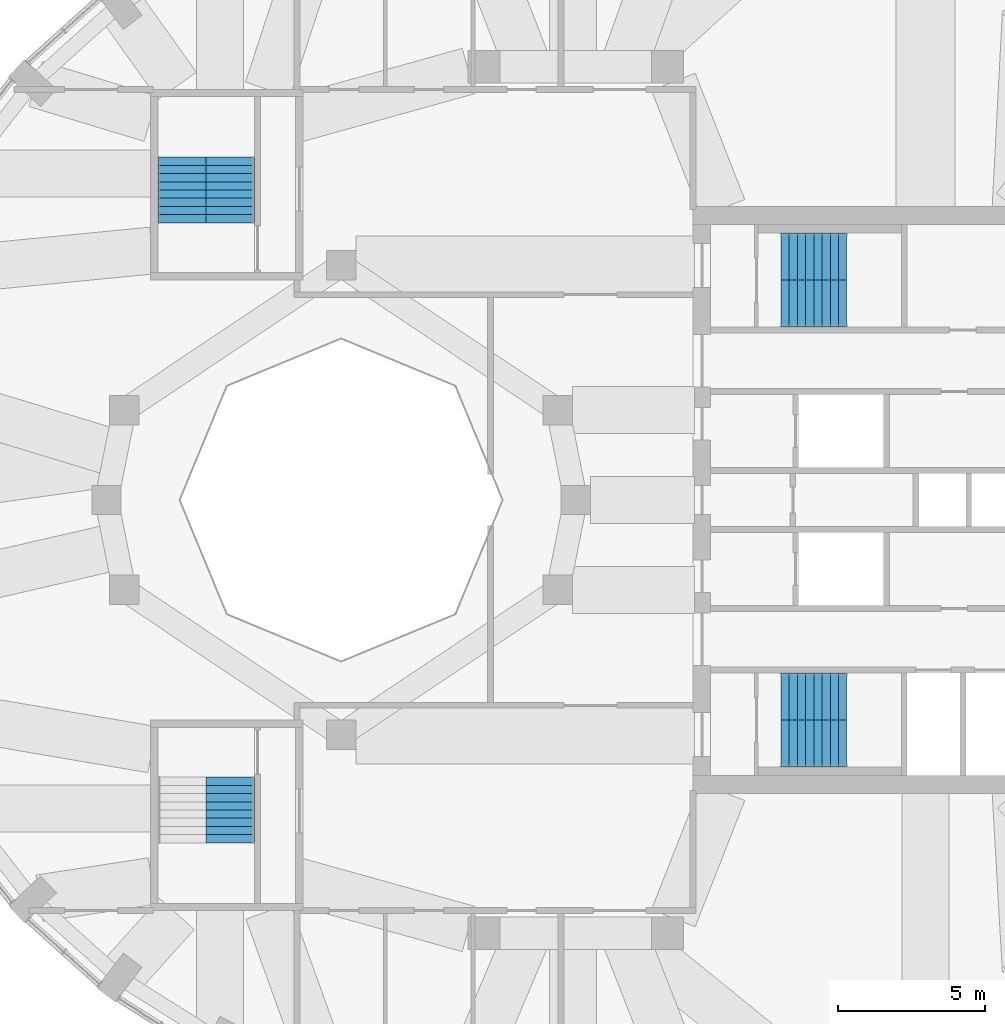
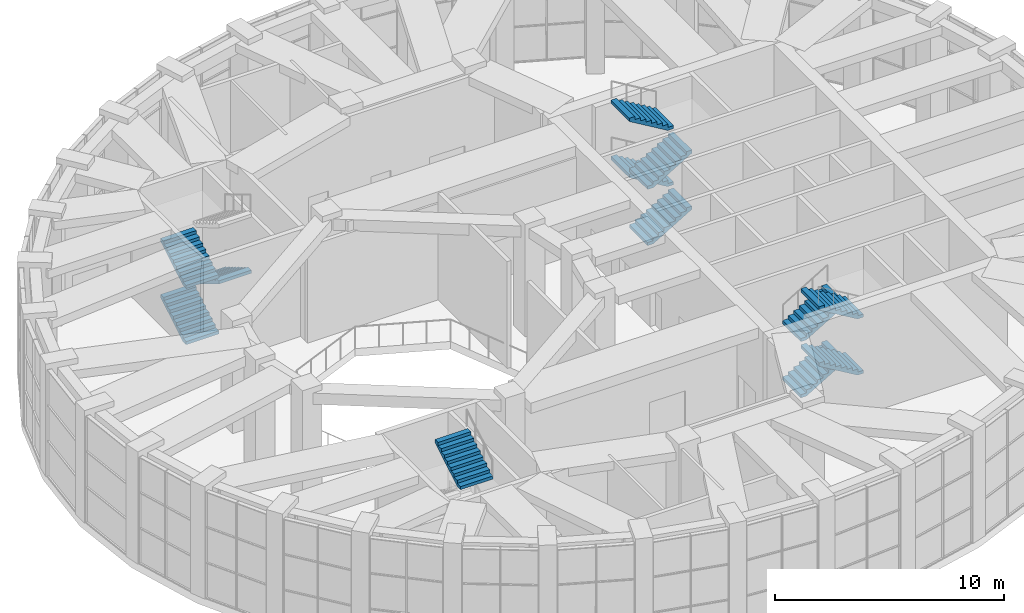
# One storey, part 18 of 20: 12 stair flights, 4 elements without a shape of their own.
"""IFC4 building model written with IfcOpenShell, lengths in metres."""

from ifc_helpers import new_model, si_unit, direction, frame, origin, place, context, subcontext, project, spatial, polyline, outline, extrude, material, type_object, element, aggregate, save


model = new_model("IFC4")

# Units and contexts
model_context = context("Model", 3, precision=1e-05, world=origin(), true_north=direction((0.0, 1.0)))
body_context = subcontext(model_context, "Body", "Model", "MODEL_VIEW")
ifc_project = project(units=[si_unit("LENGTHUNIT", "METRE"), si_unit("AREAUNIT", "SQUARE_METRE"), si_unit("VOLUMEUNIT", "CUBIC_METRE"), si_unit("PLANEANGLEUNIT", "RADIAN"), si_unit("MASSUNIT", "GRAM", prefix="KILO")], contexts=[model_context])

# Site, building, storey
site_placement = place(None, origin())
site = spatial("IfcSite", under=ifc_project, at=site_placement, CompositionType="ELEMENT")
building_placement = place(site_placement, origin())
building = spatial("IfcBuilding", under=site, at=building_placement, Name="Taillehof Tower", CompositionType="ELEMENT")
storey_placement = place(building_placement, frame((0.0, 0.0, 269.199951171875)))
storey = spatial("IfcBuildingStorey", under=building, at=storey_placement, Name="L76", CompositionType="ELEMENT", Elevation=269.199951171875)

# Stair, stair flights
ifc_material_1 = material(Name="Concrete C40/50", Category="concrete")
stair_type = type_object("IfcStairType", Name="Exit stair half-turn", PredefinedType="HALF_TURN_STAIR", material=ifc_material_1)
stair_1_placement = place(storey_placement, origin())
stair_1 = element("IfcStair", 1, at=stair_1_placement, inside=storey, type_object=stair_type, Name="Exit stair S1", PredefinedType="HALF_TURN_STAIR")
ifc_material_2 = material(Name="Concrete C40/50", Category="concrete")
stair_flight_type_1 = type_object("IfcStairFlightType", Name="Stair flight 1600 riser 166.7 going 280", PredefinedType="STRAIGHT", material=ifc_material_2)
stair_flight_1_placement = place(storey_placement, frame((7.0, 6.699951171875, 0.0), z_axis=(0.0, 0.0, 1.0), x_axis=(1.0, 0.0, 0.0)))
stair_flight_1 = element("IfcStairFlight", 2, at=stair_flight_1_placement, type_object=stair_flight_type_1, Name="S1 flight 1", NumberOfRisers=9, NumberOfTreads=8, PredefinedType="STRAIGHT", RiserHeight=0.166666667, TreadLength=0.28, context=body_context, shape_type="SweptSolid", body=[
    extrude(outline(polyline([(0.0, 0.0), (0.0, 0.005859375), (0.0, 0.011962890625), (0.0, 0.017822265625), (0.0, 0.02392578125), (0.0, 0.02978515625), (0.0, 0.03564453125), (0.0, 0.041748046875), (0.0, 0.047607421875), (0.0, 0.053466796875), (0.0, 0.0595703125), (0.0, 0.0654296875), (0.0, 0.071533203125), (0.0, 0.077392578125), (0.0, 0.083251953125), (0.0, 0.08935546875), (0.0, 0.09521484375), (0.0, 0.10107421875), (0.0, 0.107177734375), (0.0, 0.113037109375), (0.0, 0.119140625), (0.0, 0.125), (0.0, 0.130859375), (0.0, 0.136962890625), (0.0, 0.142822265625), (0.0, 0.14892578125), (0.0, 0.15478515625), (0.0, 0.16064453125), (0.0, 0.166748046875), (0.280029296875, 0.166748046875), (0.280029296875, 0.333251953125), (0.56005859375, 0.333251953125), (0.56005859375, 0.5), (0.840087890625, 0.5), (0.840087890625, 0.666748046875), (1.1201171875, 0.666748046875), (1.1201171875, 0.833251953125), (1.39990234375, 0.833251953125), (1.39990234375, 1.0), (1.679931640625, 1.0), (1.679931640625, 1.166748046875), (1.9599609375, 1.166748046875), (1.9599609375, 1.333251953125), (2.239990234375, 1.333251953125), (2.239990234375, 1.3271484375), (2.239990234375, 1.32080078125), (2.239990234375, 1.314697265625), (2.239990234375, 1.308349609375), (2.239990234375, 1.30224609375), (2.239990234375, 1.2958984375), (2.239990234375, 1.289794921875), (2.239990234375, 1.283447265625), (2.239990234375, 1.27734375), (2.239990234375, 1.27099609375), (2.239990234375, 1.264892578125), (2.239990234375, 1.258544921875), (2.239990234375, 1.25244140625), (2.239990234375, 1.24609375), (2.239990234375, 1.239990234375), (2.239990234375, 1.233642578125), (2.239990234375, 1.2275390625), (2.239990234375, 1.22119140625), (2.239990234375, 1.21484375), (2.239990234375, 1.208740234375), (2.239990234375, 1.202392578125), (2.239990234375, 1.1962890625), (2.239990234375, 1.18994140625), (2.239990234375, 1.183837890625), (2.239990234375, 1.177490234375), (2.239990234375, 1.17138671875), (2.239990234375, 1.1650390625), (2.239990234375, 1.158935546875), (0.29296875, 0.0), (0.0, 0.0)])), frame((0.0, 0.800048828125, 0.0), z_axis=(0.0, -1.0, 0.0), x_axis=(1.0, 0.0, 0.0)), (0.0, 0.0, 1.0), 1.6),
])
stair_flight_2_placement = place(storey_placement, frame((9.239990234375, 8.300048828125, 1.5), z_axis=(0.0, 0.0, 1.0), x_axis=(-1.0, 0.0, 0.0)))
stair_flight_2 = element("IfcStairFlight", 3, at=stair_flight_2_placement, type_object=stair_flight_type_1, Name="S1 flight 2", NumberOfRisers=9, NumberOfTreads=8, PredefinedType="STRAIGHT", RiserHeight=0.166666667, TreadLength=0.28, context=body_context, shape_type="SweptSolid", body=[
    extrude(outline(polyline([(0.0, 0.0), (0.0, 0.005859375), (0.0, 0.011962890625), (0.0, 0.017822265625), (0.0, 0.02392578125), (0.0, 0.02978515625), (0.0, 0.03564453125), (0.0, 0.041748046875), (0.0, 0.047607421875), (0.0, 0.053466796875), (0.0, 0.0595703125), (0.0, 0.0654296875), (0.0, 0.071533203125), (0.0, 0.077392578125), (0.0, 0.083251953125), (0.0, 0.08935546875), (0.0, 0.09521484375), (0.0, 0.10107421875), (0.0, 0.107177734375), (0.0, 0.113037109375), (0.0, 0.119140625), (0.0, 0.125), (0.0, 0.130859375), (0.0, 0.136962890625), (0.0, 0.142822265625), (0.0, 0.14892578125), (0.0, 0.15478515625), (0.0, 0.16064453125), (0.0, 0.166748046875), (0.280029296875, 0.166748046875), (0.280029296875, 0.333251953125), (0.56005859375, 0.333251953125), (0.56005859375, 0.5), (0.840087890625, 0.5), (0.840087890625, 0.666748046875), (1.1201171875, 0.666748046875), (1.1201171875, 0.833251953125), (1.39990234375, 0.833251953125), (1.39990234375, 1.0), (1.679931640625, 1.0), (1.679931640625, 1.166748046875), (1.9599609375, 1.166748046875), (1.9599609375, 1.333251953125), (2.239990234375, 1.333251953125), (2.239990234375, 1.3271484375), (2.239990234375, 1.32080078125), (2.239990234375, 1.314697265625), (2.239990234375, 1.308349609375), (2.239990234375, 1.30224609375), (2.239990234375, 1.2958984375), (2.239990234375, 1.289794921875), (2.239990234375, 1.283447265625), (2.239990234375, 1.27734375), (2.239990234375, 1.27099609375), (2.239990234375, 1.264892578125), (2.239990234375, 1.258544921875), (2.239990234375, 1.25244140625), (2.239990234375, 1.24609375), (2.239990234375, 1.239990234375), (2.239990234375, 1.233642578125), (2.239990234375, 1.2275390625), (2.239990234375, 1.22119140625), (2.239990234375, 1.21484375), (2.239990234375, 1.208740234375), (2.239990234375, 1.202392578125), (2.239990234375, 1.1962890625), (2.239990234375, 1.18994140625), (2.239990234375, 1.183837890625), (2.239990234375, 1.177490234375), (2.239990234375, 1.17138671875), (2.239990234375, 1.1650390625), (2.239990234375, 1.158935546875), (0.29296875, 0.0), (0.0, 0.0)])), frame((0.0, 0.800048828125, 0.0), z_axis=(0.0, -1.0, 0.0), x_axis=(1.0, 0.0, 0.0)), (0.0, 0.0, 1.0), 1.6),
])
stair_flight_3_placement = place(storey_placement, frame((7.0, 6.699951171875, 3.0), z_axis=(0.0, 0.0, 1.0), x_axis=(1.0, 0.0, 0.0)))
stair_flight_3 = element("IfcStairFlight", 4, at=stair_flight_3_placement, type_object=stair_flight_type_1, Name="S1 flight 3", NumberOfRisers=9, NumberOfTreads=8, PredefinedType="STRAIGHT", RiserHeight=0.166666667, TreadLength=0.28, context=body_context, shape_type="SweptSolid", body=[
    extrude(outline(polyline([(0.0, 0.0), (0.0, 0.005859375), (0.0, 0.011962890625), (0.0, 0.017822265625), (0.0, 0.02392578125), (0.0, 0.02978515625), (0.0, 0.03564453125), (0.0, 0.041748046875), (0.0, 0.047607421875), (0.0, 0.053466796875), (0.0, 0.0595703125), (0.0, 0.0654296875), (0.0, 0.071533203125), (0.0, 0.077392578125), (0.0, 0.083251953125), (0.0, 0.08935546875), (0.0, 0.09521484375), (0.0, 0.10107421875), (0.0, 0.107177734375), (0.0, 0.113037109375), (0.0, 0.119140625), (0.0, 0.125), (0.0, 0.130859375), (0.0, 0.136962890625), (0.0, 0.142822265625), (0.0, 0.14892578125), (0.0, 0.15478515625), (0.0, 0.16064453125), (0.0, 0.166748046875), (0.280029296875, 0.166748046875), (0.280029296875, 0.333251953125), (0.56005859375, 0.333251953125), (0.56005859375, 0.5), (0.840087890625, 0.5), (0.840087890625, 0.666748046875), (1.1201171875, 0.666748046875), (1.1201171875, 0.833251953125), (1.39990234375, 0.833251953125), (1.39990234375, 1.0), (1.679931640625, 1.0), (1.679931640625, 1.166748046875), (1.9599609375, 1.166748046875), (1.9599609375, 1.333251953125), (2.239990234375, 1.333251953125), (2.239990234375, 1.3271484375), (2.239990234375, 1.32080078125), (2.239990234375, 1.314697265625), (2.239990234375, 1.308349609375), (2.239990234375, 1.30224609375), (2.239990234375, 1.2958984375), (2.239990234375, 1.289794921875), (2.239990234375, 1.283447265625), (2.239990234375, 1.27734375), (2.239990234375, 1.27099609375), (2.239990234375, 1.264892578125), (2.239990234375, 1.258544921875), (2.239990234375, 1.25244140625), (2.239990234375, 1.24609375), (2.239990234375, 1.239990234375), (2.239990234375, 1.233642578125), (2.239990234375, 1.2275390625), (2.239990234375, 1.22119140625), (2.239990234375, 1.21484375), (2.239990234375, 1.208740234375), (2.239990234375, 1.202392578125), (2.239990234375, 1.1962890625), (2.239990234375, 1.18994140625), (2.239990234375, 1.183837890625), (2.239990234375, 1.177490234375), (2.239990234375, 1.17138671875), (2.239990234375, 1.1650390625), (2.239990234375, 1.158935546875), (0.29296875, 0.0), (0.0, 0.0)])), frame((0.0, 0.800048828125, 0.0), z_axis=(0.0, -1.0, 0.0), x_axis=(1.0, 0.0, 0.0)), (0.0, 0.0, 1.0), 1.6),
])
stair_flight_4_placement = place(storey_placement, frame((9.239990234375, 8.300048828125, 4.5), z_axis=(0.0, 0.0, 1.0), x_axis=(-1.0, 0.0, 0.0)))
stair_flight_4 = element("IfcStairFlight", 5, at=stair_flight_4_placement, type_object=stair_flight_type_1, Name="S1 flight 4", NumberOfRisers=9, NumberOfTreads=8, PredefinedType="STRAIGHT", RiserHeight=0.166666667, TreadLength=0.28, context=body_context, shape_type="SweptSolid", body=[
    extrude(outline(polyline([(0.0, 0.0), (0.0, 0.005859375), (0.0, 0.011962890625), (0.0, 0.017822265625), (0.0, 0.02392578125), (0.0, 0.02978515625), (0.0, 0.03564453125), (0.0, 0.041748046875), (0.0, 0.047607421875), (0.0, 0.053466796875), (0.0, 0.0595703125), (0.0, 0.0654296875), (0.0, 0.071533203125), (0.0, 0.077392578125), (0.0, 0.083251953125), (0.0, 0.08935546875), (0.0, 0.09521484375), (0.0, 0.10107421875), (0.0, 0.107177734375), (0.0, 0.113037109375), (0.0, 0.119140625), (0.0, 0.125), (0.0, 0.130859375), (0.0, 0.136962890625), (0.0, 0.142822265625), (0.0, 0.14892578125), (0.0, 0.15478515625), (0.0, 0.16064453125), (0.0, 0.166748046875), (0.280029296875, 0.166748046875), (0.280029296875, 0.333251953125), (0.56005859375, 0.333251953125), (0.56005859375, 0.5), (0.840087890625, 0.5), (0.840087890625, 0.666748046875), (1.1201171875, 0.666748046875), (1.1201171875, 0.833251953125), (1.39990234375, 0.833251953125), (1.39990234375, 1.0), (1.679931640625, 1.0), (1.679931640625, 1.166748046875), (1.9599609375, 1.166748046875), (1.9599609375, 1.333251953125), (2.239990234375, 1.333251953125), (2.239990234375, 1.3271484375), (2.239990234375, 1.32080078125), (2.239990234375, 1.314697265625), (2.239990234375, 1.308349609375), (2.239990234375, 1.30224609375), (2.239990234375, 1.2958984375), (2.239990234375, 1.289794921875), (2.239990234375, 1.283447265625), (2.239990234375, 1.27734375), (2.239990234375, 1.27099609375), (2.239990234375, 1.264892578125), (2.239990234375, 1.258544921875), (2.239990234375, 1.25244140625), (2.239990234375, 1.24609375), (2.239990234375, 1.239990234375), (2.239990234375, 1.233642578125), (2.239990234375, 1.2275390625), (2.239990234375, 1.22119140625), (2.239990234375, 1.21484375), (2.239990234375, 1.208740234375), (2.239990234375, 1.202392578125), (2.239990234375, 1.1962890625), (2.239990234375, 1.18994140625), (2.239990234375, 1.183837890625), (2.239990234375, 1.177490234375), (2.239990234375, 1.17138671875), (2.239990234375, 1.1650390625), (2.239990234375, 1.158935546875), (0.29296875, 0.0), (0.0, 0.0)])), frame((0.0, 0.800048828125, 0.0), z_axis=(0.0, -1.0, 0.0), x_axis=(1.0, 0.0, 0.0)), (0.0, 0.0, 1.0), 1.6),
])
aggregate(stair_1, [stair_flight_1, stair_flight_2, stair_flight_3, stair_flight_4])

stair_2_placement = place(storey_placement, origin())
stair_2 = element("IfcStair", 6, at=stair_2_placement, inside=storey, type_object=stair_type, Name="Exit stair S2", PredefinedType="HALF_TURN_STAIR")
stair_flight_5_placement = place(storey_placement, frame((7.0, -6.699951171875, 0.0), z_axis=(0.0, 0.0, 1.0), x_axis=(1.0, 0.0, 0.0)))
stair_flight_5 = element("IfcStairFlight", 7, at=stair_flight_5_placement, type_object=stair_flight_type_1, Name="S2 flight 1", NumberOfRisers=9, NumberOfTreads=8, PredefinedType="STRAIGHT", RiserHeight=0.166666667, TreadLength=0.28, context=body_context, shape_type="SweptSolid", body=[
    extrude(outline(polyline([(0.0, 0.0), (0.0, 0.005859375), (0.0, 0.011962890625), (0.0, 0.017822265625), (0.0, 0.02392578125), (0.0, 0.02978515625), (0.0, 0.03564453125), (0.0, 0.041748046875), (0.0, 0.047607421875), (0.0, 0.053466796875), (0.0, 0.0595703125), (0.0, 0.0654296875), (0.0, 0.071533203125), (0.0, 0.077392578125), (0.0, 0.083251953125), (0.0, 0.08935546875), (0.0, 0.09521484375), (0.0, 0.10107421875), (0.0, 0.107177734375), (0.0, 0.113037109375), (0.0, 0.119140625), (0.0, 0.125), (0.0, 0.130859375), (0.0, 0.136962890625), (0.0, 0.142822265625), (0.0, 0.14892578125), (0.0, 0.15478515625), (0.0, 0.16064453125), (0.0, 0.166748046875), (0.280029296875, 0.166748046875), (0.280029296875, 0.333251953125), (0.56005859375, 0.333251953125), (0.56005859375, 0.5), (0.840087890625, 0.5), (0.840087890625, 0.666748046875), (1.1201171875, 0.666748046875), (1.1201171875, 0.833251953125), (1.39990234375, 0.833251953125), (1.39990234375, 1.0), (1.679931640625, 1.0), (1.679931640625, 1.166748046875), (1.9599609375, 1.166748046875), (1.9599609375, 1.333251953125), (2.239990234375, 1.333251953125), (2.239990234375, 1.3271484375), (2.239990234375, 1.32080078125), (2.239990234375, 1.314697265625), (2.239990234375, 1.308349609375), (2.239990234375, 1.30224609375), (2.239990234375, 1.2958984375), (2.239990234375, 1.289794921875), (2.239990234375, 1.283447265625), (2.239990234375, 1.27734375), (2.239990234375, 1.27099609375), (2.239990234375, 1.264892578125), (2.239990234375, 1.258544921875), (2.239990234375, 1.25244140625), (2.239990234375, 1.24609375), (2.239990234375, 1.239990234375), (2.239990234375, 1.233642578125), (2.239990234375, 1.2275390625), (2.239990234375, 1.22119140625), (2.239990234375, 1.21484375), (2.239990234375, 1.208740234375), (2.239990234375, 1.202392578125), (2.239990234375, 1.1962890625), (2.239990234375, 1.18994140625), (2.239990234375, 1.183837890625), (2.239990234375, 1.177490234375), (2.239990234375, 1.17138671875), (2.239990234375, 1.1650390625), (2.239990234375, 1.158935546875), (0.29296875, 0.0), (0.0, 0.0)])), frame((0.0, 0.800048828125, 0.0), z_axis=(0.0, -1.0, 0.0), x_axis=(1.0, 0.0, 0.0)), (0.0, 0.0, 1.0), 1.6),
])
stair_flight_6_placement = place(storey_placement, frame((9.239990234375, -8.300048828125, 1.5), z_axis=(0.0, 0.0, 1.0), x_axis=(-1.0, 0.0, 0.0)))
stair_flight_6 = element("IfcStairFlight", 8, at=stair_flight_6_placement, type_object=stair_flight_type_1, Name="S2 flight 2", NumberOfRisers=9, NumberOfTreads=8, PredefinedType="STRAIGHT", RiserHeight=0.166666667, TreadLength=0.28, context=body_context, shape_type="SweptSolid", body=[
    extrude(outline(polyline([(0.0, 0.0), (0.0, 0.005859375), (0.0, 0.011962890625), (0.0, 0.017822265625), (0.0, 0.02392578125), (0.0, 0.02978515625), (0.0, 0.03564453125), (0.0, 0.041748046875), (0.0, 0.047607421875), (0.0, 0.053466796875), (0.0, 0.0595703125), (0.0, 0.0654296875), (0.0, 0.071533203125), (0.0, 0.077392578125), (0.0, 0.083251953125), (0.0, 0.08935546875), (0.0, 0.09521484375), (0.0, 0.10107421875), (0.0, 0.107177734375), (0.0, 0.113037109375), (0.0, 0.119140625), (0.0, 0.125), (0.0, 0.130859375), (0.0, 0.136962890625), (0.0, 0.142822265625), (0.0, 0.14892578125), (0.0, 0.15478515625), (0.0, 0.16064453125), (0.0, 0.166748046875), (0.280029296875, 0.166748046875), (0.280029296875, 0.333251953125), (0.56005859375, 0.333251953125), (0.56005859375, 0.5), (0.840087890625, 0.5), (0.840087890625, 0.666748046875), (1.1201171875, 0.666748046875), (1.1201171875, 0.833251953125), (1.39990234375, 0.833251953125), (1.39990234375, 1.0), (1.679931640625, 1.0), (1.679931640625, 1.166748046875), (1.9599609375, 1.166748046875), (1.9599609375, 1.333251953125), (2.239990234375, 1.333251953125), (2.239990234375, 1.3271484375), (2.239990234375, 1.32080078125), (2.239990234375, 1.314697265625), (2.239990234375, 1.308349609375), (2.239990234375, 1.30224609375), (2.239990234375, 1.2958984375), (2.239990234375, 1.289794921875), (2.239990234375, 1.283447265625), (2.239990234375, 1.27734375), (2.239990234375, 1.27099609375), (2.239990234375, 1.264892578125), (2.239990234375, 1.258544921875), (2.239990234375, 1.25244140625), (2.239990234375, 1.24609375), (2.239990234375, 1.239990234375), (2.239990234375, 1.233642578125), (2.239990234375, 1.2275390625), (2.239990234375, 1.22119140625), (2.239990234375, 1.21484375), (2.239990234375, 1.208740234375), (2.239990234375, 1.202392578125), (2.239990234375, 1.1962890625), (2.239990234375, 1.18994140625), (2.239990234375, 1.183837890625), (2.239990234375, 1.177490234375), (2.239990234375, 1.17138671875), (2.239990234375, 1.1650390625), (2.239990234375, 1.158935546875), (0.29296875, 0.0), (0.0, 0.0)])), frame((0.0, 0.800048828125, 0.0), z_axis=(0.0, -1.0, 0.0), x_axis=(1.0, 0.0, 0.0)), (0.0, 0.0, 1.0), 1.6),
])
stair_flight_7_placement = place(storey_placement, frame((7.0, -6.699951171875, 3.0), z_axis=(0.0, 0.0, 1.0), x_axis=(1.0, 0.0, 0.0)))
stair_flight_7 = element("IfcStairFlight", 9, at=stair_flight_7_placement, type_object=stair_flight_type_1, Name="S2 flight 3", NumberOfRisers=9, NumberOfTreads=8, PredefinedType="STRAIGHT", RiserHeight=0.166666667, TreadLength=0.28, context=body_context, shape_type="SweptSolid", body=[
    extrude(outline(polyline([(0.0, 0.0), (0.0, 0.005859375), (0.0, 0.011962890625), (0.0, 0.017822265625), (0.0, 0.02392578125), (0.0, 0.02978515625), (0.0, 0.03564453125), (0.0, 0.041748046875), (0.0, 0.047607421875), (0.0, 0.053466796875), (0.0, 0.0595703125), (0.0, 0.0654296875), (0.0, 0.071533203125), (0.0, 0.077392578125), (0.0, 0.083251953125), (0.0, 0.08935546875), (0.0, 0.09521484375), (0.0, 0.10107421875), (0.0, 0.107177734375), (0.0, 0.113037109375), (0.0, 0.119140625), (0.0, 0.125), (0.0, 0.130859375), (0.0, 0.136962890625), (0.0, 0.142822265625), (0.0, 0.14892578125), (0.0, 0.15478515625), (0.0, 0.16064453125), (0.0, 0.166748046875), (0.280029296875, 0.166748046875), (0.280029296875, 0.333251953125), (0.56005859375, 0.333251953125), (0.56005859375, 0.5), (0.840087890625, 0.5), (0.840087890625, 0.666748046875), (1.1201171875, 0.666748046875), (1.1201171875, 0.833251953125), (1.39990234375, 0.833251953125), (1.39990234375, 1.0), (1.679931640625, 1.0), (1.679931640625, 1.166748046875), (1.9599609375, 1.166748046875), (1.9599609375, 1.333251953125), (2.239990234375, 1.333251953125), (2.239990234375, 1.3271484375), (2.239990234375, 1.32080078125), (2.239990234375, 1.314697265625), (2.239990234375, 1.308349609375), (2.239990234375, 1.30224609375), (2.239990234375, 1.2958984375), (2.239990234375, 1.289794921875), (2.239990234375, 1.283447265625), (2.239990234375, 1.27734375), (2.239990234375, 1.27099609375), (2.239990234375, 1.264892578125), (2.239990234375, 1.258544921875), (2.239990234375, 1.25244140625), (2.239990234375, 1.24609375), (2.239990234375, 1.239990234375), (2.239990234375, 1.233642578125), (2.239990234375, 1.2275390625), (2.239990234375, 1.22119140625), (2.239990234375, 1.21484375), (2.239990234375, 1.208740234375), (2.239990234375, 1.202392578125), (2.239990234375, 1.1962890625), (2.239990234375, 1.18994140625), (2.239990234375, 1.183837890625), (2.239990234375, 1.177490234375), (2.239990234375, 1.17138671875), (2.239990234375, 1.1650390625), (2.239990234375, 1.158935546875), (0.29296875, 0.0), (0.0, 0.0)])), frame((0.0, 0.800048828125, 0.0), z_axis=(0.0, -1.0, 0.0), x_axis=(1.0, 0.0, 0.0)), (0.0, 0.0, 1.0), 1.6),
])
stair_flight_8_placement = place(storey_placement, frame((9.239990234375, -8.300048828125, 4.5), z_axis=(0.0, 0.0, 1.0), x_axis=(-1.0, 0.0, 0.0)))
stair_flight_8 = element("IfcStairFlight", 10, at=stair_flight_8_placement, type_object=stair_flight_type_1, Name="S2 flight 4", NumberOfRisers=9, NumberOfTreads=8, PredefinedType="STRAIGHT", RiserHeight=0.166666667, TreadLength=0.28, context=body_context, shape_type="SweptSolid", body=[
    extrude(outline(polyline([(0.0, 0.0), (0.0, 0.005859375), (0.0, 0.011962890625), (0.0, 0.017822265625), (0.0, 0.02392578125), (0.0, 0.02978515625), (0.0, 0.03564453125), (0.0, 0.041748046875), (0.0, 0.047607421875), (0.0, 0.053466796875), (0.0, 0.0595703125), (0.0, 0.0654296875), (0.0, 0.071533203125), (0.0, 0.077392578125), (0.0, 0.083251953125), (0.0, 0.08935546875), (0.0, 0.09521484375), (0.0, 0.10107421875), (0.0, 0.107177734375), (0.0, 0.113037109375), (0.0, 0.119140625), (0.0, 0.125), (0.0, 0.130859375), (0.0, 0.136962890625), (0.0, 0.142822265625), (0.0, 0.14892578125), (0.0, 0.15478515625), (0.0, 0.16064453125), (0.0, 0.166748046875), (0.280029296875, 0.166748046875), (0.280029296875, 0.333251953125), (0.56005859375, 0.333251953125), (0.56005859375, 0.5), (0.840087890625, 0.5), (0.840087890625, 0.666748046875), (1.1201171875, 0.666748046875), (1.1201171875, 0.833251953125), (1.39990234375, 0.833251953125), (1.39990234375, 1.0), (1.679931640625, 1.0), (1.679931640625, 1.166748046875), (1.9599609375, 1.166748046875), (1.9599609375, 1.333251953125), (2.239990234375, 1.333251953125), (2.239990234375, 1.3271484375), (2.239990234375, 1.32080078125), (2.239990234375, 1.314697265625), (2.239990234375, 1.308349609375), (2.239990234375, 1.30224609375), (2.239990234375, 1.2958984375), (2.239990234375, 1.289794921875), (2.239990234375, 1.283447265625), (2.239990234375, 1.27734375), (2.239990234375, 1.27099609375), (2.239990234375, 1.264892578125), (2.239990234375, 1.258544921875), (2.239990234375, 1.25244140625), (2.239990234375, 1.24609375), (2.239990234375, 1.239990234375), (2.239990234375, 1.233642578125), (2.239990234375, 1.2275390625), (2.239990234375, 1.22119140625), (2.239990234375, 1.21484375), (2.239990234375, 1.208740234375), (2.239990234375, 1.202392578125), (2.239990234375, 1.1962890625), (2.239990234375, 1.18994140625), (2.239990234375, 1.183837890625), (2.239990234375, 1.177490234375), (2.239990234375, 1.17138671875), (2.239990234375, 1.1650390625), (2.239990234375, 1.158935546875), (0.29296875, 0.0), (0.0, 0.0)])), frame((0.0, 0.800048828125, 0.0), z_axis=(0.0, -1.0, 0.0), x_axis=(1.0, 0.0, 0.0)), (0.0, 0.0, 1.0), 1.6),
])
aggregate(stair_2, [stair_flight_5, stair_flight_6, stair_flight_7, stair_flight_8])

stair_3_placement = place(storey_placement, origin())
stair_3 = element("IfcStair", 11, at=stair_3_placement, inside=storey, type_object=stair_type, Name="Exit stair S3", PredefinedType="HALF_TURN_STAIR")
ifc_material_3 = material(Name="Concrete C40/50", Category="concrete")
stair_flight_type_2 = type_object("IfcStairFlightType", Name="Stair flight 1650 riser 166.7 going 280", PredefinedType="STRAIGHT", material=ifc_material_3)
stair_flight_9_placement = place(storey_placement, frame((-13.425048828125, 9.449951171875, 0.0), z_axis=(0.0, 0.0, 1.0), x_axis=(0.0, 1.0, 0.0)))
stair_flight_9 = element("IfcStairFlight", 12, at=stair_flight_9_placement, type_object=stair_flight_type_2, Name="S3 flight 1", NumberOfRisers=9, NumberOfTreads=8, PredefinedType="STRAIGHT", RiserHeight=0.166666667, TreadLength=0.28, context=body_context, shape_type="SweptSolid", body=[
    extrude(outline(polyline([(0.0, 0.0), (0.0, 0.005859375), (0.0, 0.011962890625), (0.0, 0.017822265625), (0.0, 0.02392578125), (0.0, 0.02978515625), (0.0, 0.03564453125), (0.0, 0.041748046875), (0.0, 0.047607421875), (0.0, 0.053466796875), (0.0, 0.0595703125), (0.0, 0.0654296875), (0.0, 0.071533203125), (0.0, 0.077392578125), (0.0, 0.083251953125), (0.0, 0.08935546875), (0.0, 0.09521484375), (0.0, 0.10107421875), (0.0, 0.107177734375), (0.0, 0.113037109375), (0.0, 0.119140625), (0.0, 0.125), (0.0, 0.130859375), (0.0, 0.136962890625), (0.0, 0.142822265625), (0.0, 0.14892578125), (0.0, 0.15478515625), (0.0, 0.16064453125), (0.0, 0.166748046875), (0.280029296875, 0.166748046875), (0.280029296875, 0.333251953125), (0.56005859375, 0.333251953125), (0.56005859375, 0.5), (0.840087890625, 0.5), (0.840087890625, 0.666748046875), (1.1201171875, 0.666748046875), (1.1201171875, 0.833251953125), (1.39990234375, 0.833251953125), (1.39990234375, 1.0), (1.679931640625, 1.0), (1.679931640625, 1.166748046875), (1.9599609375, 1.166748046875), (1.9599609375, 1.333251953125), (2.239990234375, 1.333251953125), (2.239990234375, 1.3271484375), (2.239990234375, 1.32080078125), (2.239990234375, 1.314697265625), (2.239990234375, 1.308349609375), (2.239990234375, 1.30224609375), (2.239990234375, 1.2958984375), (2.239990234375, 1.289794921875), (2.239990234375, 1.283447265625), (2.239990234375, 1.27734375), (2.239990234375, 1.27099609375), (2.239990234375, 1.264892578125), (2.239990234375, 1.258544921875), (2.239990234375, 1.25244140625), (2.239990234375, 1.24609375), (2.239990234375, 1.239990234375), (2.239990234375, 1.233642578125), (2.239990234375, 1.2275390625), (2.239990234375, 1.22119140625), (2.239990234375, 1.21484375), (2.239990234375, 1.208740234375), (2.239990234375, 1.202392578125), (2.239990234375, 1.1962890625), (2.239990234375, 1.18994140625), (2.239990234375, 1.183837890625), (2.239990234375, 1.177490234375), (2.239990234375, 1.17138671875), (2.239990234375, 1.1650390625), (2.239990234375, 1.158935546875), (0.29296875, 0.0), (0.0, 0.0)])), frame((0.0, 0.824951171875, 0.0), z_axis=(0.0, -1.0, 0.0), x_axis=(1.0, 0.0, 0.0)), (0.0, 0.0, 1.0), 1.65),
])
stair_flight_10_placement = place(storey_placement, frame((-11.77490234375, 11.68994140625, 1.5), z_axis=(0.0, 0.0, 1.0), x_axis=(0.0, -1.0, 0.0)))
stair_flight_10 = element("IfcStairFlight", 13, at=stair_flight_10_placement, type_object=stair_flight_type_2, Name="S3 flight 2", NumberOfRisers=9, NumberOfTreads=8, PredefinedType="STRAIGHT", RiserHeight=0.166666667, TreadLength=0.28, context=body_context, shape_type="SweptSolid", body=[
    extrude(outline(polyline([(0.0, 0.0), (0.0, 0.005859375), (0.0, 0.011962890625), (0.0, 0.017822265625), (0.0, 0.02392578125), (0.0, 0.02978515625), (0.0, 0.03564453125), (0.0, 0.041748046875), (0.0, 0.047607421875), (0.0, 0.053466796875), (0.0, 0.0595703125), (0.0, 0.0654296875), (0.0, 0.071533203125), (0.0, 0.077392578125), (0.0, 0.083251953125), (0.0, 0.08935546875), (0.0, 0.09521484375), (0.0, 0.10107421875), (0.0, 0.107177734375), (0.0, 0.113037109375), (0.0, 0.119140625), (0.0, 0.125), (0.0, 0.130859375), (0.0, 0.136962890625), (0.0, 0.142822265625), (0.0, 0.14892578125), (0.0, 0.15478515625), (0.0, 0.16064453125), (0.0, 0.166748046875), (0.280029296875, 0.166748046875), (0.280029296875, 0.333251953125), (0.56005859375, 0.333251953125), (0.56005859375, 0.5), (0.840087890625, 0.5), (0.840087890625, 0.666748046875), (1.1201171875, 0.666748046875), (1.1201171875, 0.833251953125), (1.39990234375, 0.833251953125), (1.39990234375, 1.0), (1.679931640625, 1.0), (1.679931640625, 1.166748046875), (1.9599609375, 1.166748046875), (1.9599609375, 1.333251953125), (2.239990234375, 1.333251953125), (2.239990234375, 1.3271484375), (2.239990234375, 1.32080078125), (2.239990234375, 1.314697265625), (2.239990234375, 1.308349609375), (2.239990234375, 1.30224609375), (2.239990234375, 1.2958984375), (2.239990234375, 1.289794921875), (2.239990234375, 1.283447265625), (2.239990234375, 1.27734375), (2.239990234375, 1.27099609375), (2.239990234375, 1.264892578125), (2.239990234375, 1.258544921875), (2.239990234375, 1.25244140625), (2.239990234375, 1.24609375), (2.239990234375, 1.239990234375), (2.239990234375, 1.233642578125), (2.239990234375, 1.2275390625), (2.239990234375, 1.22119140625), (2.239990234375, 1.21484375), (2.239990234375, 1.208740234375), (2.239990234375, 1.202392578125), (2.239990234375, 1.1962890625), (2.239990234375, 1.18994140625), (2.239990234375, 1.183837890625), (2.239990234375, 1.177490234375), (2.239990234375, 1.17138671875), (2.239990234375, 1.1650390625), (2.239990234375, 1.158935546875), (0.29296875, 0.0), (0.0, 0.0)])), frame((0.0, 0.824951171875, 0.0), z_axis=(0.0, -1.0, 0.0), x_axis=(1.0, 0.0, 0.0)), (0.0, 0.0, 1.0), 1.65),
])
stair_flight_11_placement = place(storey_placement, frame((-13.425048828125, 9.449951171875, 3.0), z_axis=(0.0, 0.0, 1.0), x_axis=(0.0, 1.0, 0.0)))
stair_flight_11 = element("IfcStairFlight", 14, at=stair_flight_11_placement, type_object=stair_flight_type_2, Name="S3 flight 3", NumberOfRisers=9, NumberOfTreads=8, PredefinedType="STRAIGHT", RiserHeight=0.166666667, TreadLength=0.28, context=body_context, shape_type="SweptSolid", body=[
    extrude(outline(polyline([(0.0, 0.0), (0.0, 0.005859375), (0.0, 0.011962890625), (0.0, 0.017822265625), (0.0, 0.02392578125), (0.0, 0.02978515625), (0.0, 0.03564453125), (0.0, 0.041748046875), (0.0, 0.047607421875), (0.0, 0.053466796875), (0.0, 0.0595703125), (0.0, 0.0654296875), (0.0, 0.071533203125), (0.0, 0.077392578125), (0.0, 0.083251953125), (0.0, 0.08935546875), (0.0, 0.09521484375), (0.0, 0.10107421875), (0.0, 0.107177734375), (0.0, 0.113037109375), (0.0, 0.119140625), (0.0, 0.125), (0.0, 0.130859375), (0.0, 0.136962890625), (0.0, 0.142822265625), (0.0, 0.14892578125), (0.0, 0.15478515625), (0.0, 0.16064453125), (0.0, 0.166748046875), (0.280029296875, 0.166748046875), (0.280029296875, 0.333251953125), (0.56005859375, 0.333251953125), (0.56005859375, 0.5), (0.840087890625, 0.5), (0.840087890625, 0.666748046875), (1.1201171875, 0.666748046875), (1.1201171875, 0.833251953125), (1.39990234375, 0.833251953125), (1.39990234375, 1.0), (1.679931640625, 1.0), (1.679931640625, 1.166748046875), (1.9599609375, 1.166748046875), (1.9599609375, 1.333251953125), (2.239990234375, 1.333251953125), (2.239990234375, 1.3271484375), (2.239990234375, 1.32080078125), (2.239990234375, 1.314697265625), (2.239990234375, 1.308349609375), (2.239990234375, 1.30224609375), (2.239990234375, 1.2958984375), (2.239990234375, 1.289794921875), (2.239990234375, 1.283447265625), (2.239990234375, 1.27734375), (2.239990234375, 1.27099609375), (2.239990234375, 1.264892578125), (2.239990234375, 1.258544921875), (2.239990234375, 1.25244140625), (2.239990234375, 1.24609375), (2.239990234375, 1.239990234375), (2.239990234375, 1.233642578125), (2.239990234375, 1.2275390625), (2.239990234375, 1.22119140625), (2.239990234375, 1.21484375), (2.239990234375, 1.208740234375), (2.239990234375, 1.202392578125), (2.239990234375, 1.1962890625), (2.239990234375, 1.18994140625), (2.239990234375, 1.183837890625), (2.239990234375, 1.177490234375), (2.239990234375, 1.17138671875), (2.239990234375, 1.1650390625), (2.239990234375, 1.158935546875), (0.29296875, 0.0), (0.0, 0.0)])), frame((0.0, 0.824951171875, 0.0), z_axis=(0.0, -1.0, 0.0), x_axis=(1.0, 0.0, 0.0)), (0.0, 0.0, 1.0), 1.65),
])
aggregate(stair_3, [stair_flight_9, stair_flight_10, stair_flight_11])

# Stair, stair flight
stair_4_placement = place(storey_placement, origin())
stair_4 = element("IfcStair", 15, at=stair_4_placement, inside=storey, type_object=stair_type, Name="Exit stair S4", PredefinedType="HALF_TURN_STAIR")
stair_flight_12_placement = place(storey_placement, frame((-11.77490234375, -11.68994140625, 4.5), z_axis=(0.0, 0.0, 1.0), x_axis=(0.0, 1.0, 0.0)))
stair_flight_12 = element("IfcStairFlight", 16, at=stair_flight_12_placement, type_object=stair_flight_type_2, Name="S4 flight 4", NumberOfRisers=9, NumberOfTreads=8, PredefinedType="STRAIGHT", RiserHeight=0.166666667, TreadLength=0.28, context=body_context, shape_type="SweptSolid", body=[
    extrude(outline(polyline([(0.0, 0.0), (0.0, 0.005859375), (0.0, 0.011962890625), (0.0, 0.017822265625), (0.0, 0.02392578125), (0.0, 0.02978515625), (0.0, 0.03564453125), (0.0, 0.041748046875), (0.0, 0.047607421875), (0.0, 0.053466796875), (0.0, 0.0595703125), (0.0, 0.0654296875), (0.0, 0.071533203125), (0.0, 0.077392578125), (0.0, 0.083251953125), (0.0, 0.08935546875), (0.0, 0.09521484375), (0.0, 0.10107421875), (0.0, 0.107177734375), (0.0, 0.113037109375), (0.0, 0.119140625), (0.0, 0.125), (0.0, 0.130859375), (0.0, 0.136962890625), (0.0, 0.142822265625), (0.0, 0.14892578125), (0.0, 0.15478515625), (0.0, 0.16064453125), (0.0, 0.166748046875), (0.280029296875, 0.166748046875), (0.280029296875, 0.333251953125), (0.56005859375, 0.333251953125), (0.56005859375, 0.5), (0.840087890625, 0.5), (0.840087890625, 0.666748046875), (1.1201171875, 0.666748046875), (1.1201171875, 0.833251953125), (1.39990234375, 0.833251953125), (1.39990234375, 1.0), (1.679931640625, 1.0), (1.679931640625, 1.166748046875), (1.9599609375, 1.166748046875), (1.9599609375, 1.333251953125), (2.239990234375, 1.333251953125), (2.239990234375, 1.3271484375), (2.239990234375, 1.32080078125), (2.239990234375, 1.314697265625), (2.239990234375, 1.308349609375), (2.239990234375, 1.30224609375), (2.239990234375, 1.2958984375), (2.239990234375, 1.289794921875), (2.239990234375, 1.283447265625), (2.239990234375, 1.27734375), (2.239990234375, 1.27099609375), (2.239990234375, 1.264892578125), (2.239990234375, 1.258544921875), (2.239990234375, 1.25244140625), (2.239990234375, 1.24609375), (2.239990234375, 1.239990234375), (2.239990234375, 1.233642578125), (2.239990234375, 1.2275390625), (2.239990234375, 1.22119140625), (2.239990234375, 1.21484375), (2.239990234375, 1.208740234375), (2.239990234375, 1.202392578125), (2.239990234375, 1.1962890625), (2.239990234375, 1.18994140625), (2.239990234375, 1.183837890625), (2.239990234375, 1.177490234375), (2.239990234375, 1.17138671875), (2.239990234375, 1.1650390625), (2.239990234375, 1.158935546875), (0.29296875, 0.0), (0.0, 0.0)])), frame((0.0, 0.824951171875, 0.0), z_axis=(0.0, -1.0, 0.0), x_axis=(1.0, 0.0, 0.0)), (0.0, 0.0, 1.0), 1.65),
])
aggregate(stair_4, [stair_flight_12])

save(model, "model.ifc")
